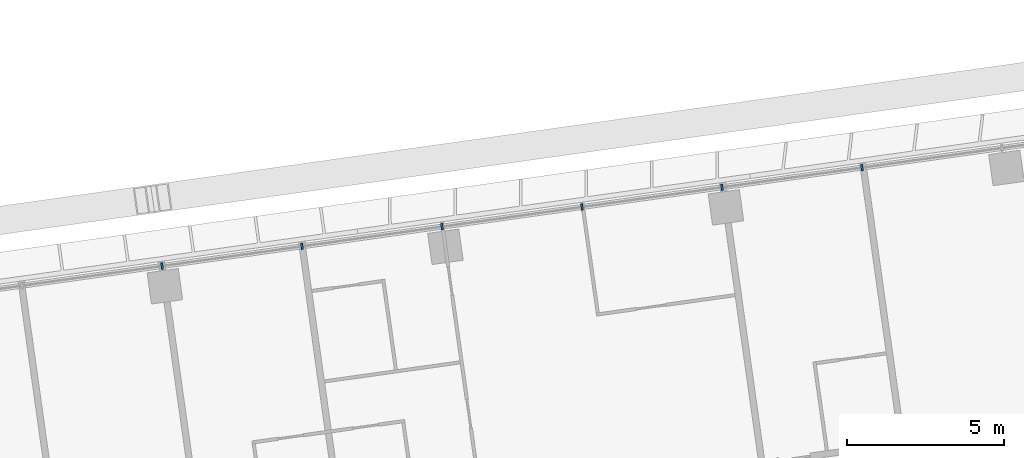
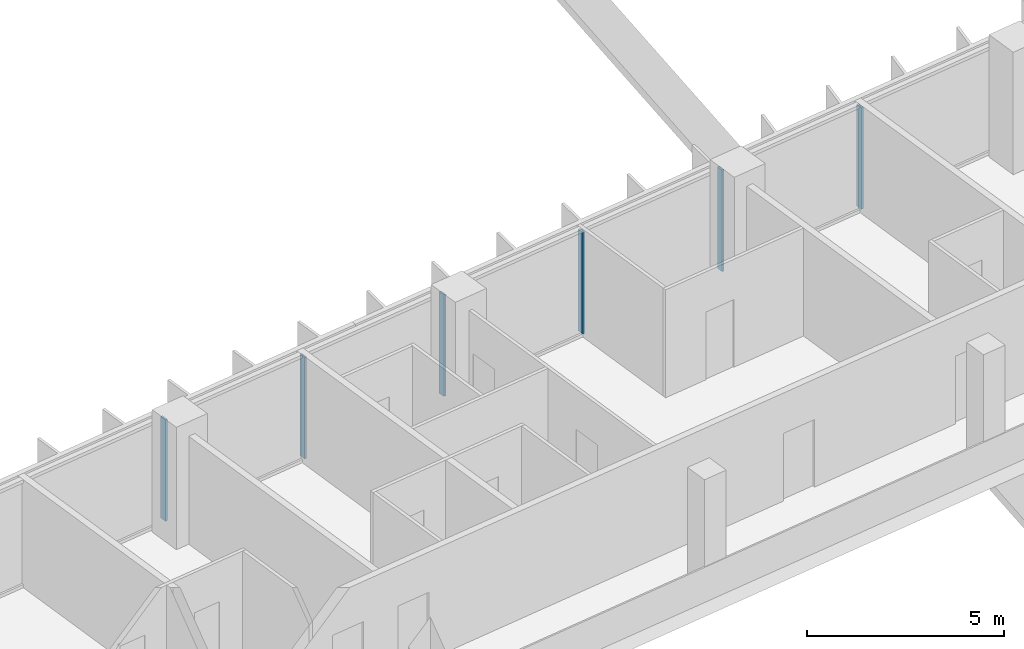
# One storey, part 29 of 49: 6 members, 1 element without a shape of its own.
"""IFC4 building model written with IfcOpenShell, lengths in metres."""

from ifc_helpers import new_model, si_unit, direction, frame, origin, origin_2d, place, context, subcontext, project, spatial, rectangle, extrude, material, material_profile, profile_set, type_object, element, aggregate, save


model = new_model("IFC4")

# Units and contexts
model_context = context("Model", 3, precision=1e-05, world=origin(), true_north=direction((0.0, 1.0)))
body_context = subcontext(model_context, "Body", "Model", "MODEL_VIEW")
ifc_project = project(units=[si_unit("LENGTHUNIT", "METRE"), si_unit("AREAUNIT", "SQUARE_METRE"), si_unit("VOLUMEUNIT", "CUBIC_METRE"), si_unit("PLANEANGLEUNIT", "RADIAN"), si_unit("MASSUNIT", "GRAM", prefix="KILO")], contexts=[model_context])

# Site, building, storey
site_placement = place(None, origin())
site = spatial("IfcSite", under=ifc_project, at=site_placement, CompositionType="ELEMENT")
building_placement = place(site_placement, origin())
building = spatial("IfcBuilding", under=site, at=building_placement, Name="Mirante Cascada Hotel Towers", CompositionType="ELEMENT")
storey_placement = place(building_placement, frame((0.0, 0.0, 66.1)))
storey = spatial("IfcBuildingStorey", under=building, at=storey_placement, Name="L13", CompositionType="ELEMENT", Elevation=66.1)

# Curtain wall, members
ifc_material_1 = material(Name="Aluminium mullion and transom frame with clear laminated glass", Category="aluminium")
curtain_wall_type = type_object("IfcCurtainWallType", Name="Ribbon curtain wall ECW1", PredefinedType="NOTDEFINED", material=ifc_material_1)
curtain_wall_placement = place(storey_placement, origin())
curtain_wall = element("IfcCurtainWall", 1, at=curtain_wall_placement, inside=storey, type_object=curtain_wall_type, Name="Front ribbon wall T2 L13", PredefinedType="NOTDEFINED")
ifc_material_2 = material(Name="Anodised aluminium extrusion", Category="aluminium")
ifc_material_profile = material_profile(ifc_material_2, rectangle(XDim=0.2, YDim=0.065, at=origin_2d()), Name="ECW1 MULLION 65x200")
ifc_profile_set = profile_set([ifc_material_profile], Name="Anodised aluminium extrusion")
member_type = type_object("IfcMemberType", Name="ECW1 mullion 65x200", PredefinedType="MULLION", material=ifc_profile_set)
member_1_placement = place(storey_placement, frame((85.2633, 24.802, 0.1), z_axis=(0.0, 0.0, 1.0), x_axis=(0.1391731, -0.9902681, 0.0)))
member_1 = element("IfcMember", 2, at=member_1_placement, type_object=member_type, Name="ECW1 mullion 3", PredefinedType="MULLION", context=body_context, shape_type="SweptSolid", body=[
    extrude(rectangle(XDim=0.2, YDim=0.065, at=origin_2d()), origin(), (0.0, 0.0, 1.0), 3.15),
])
member_2_placement = place(storey_placement, frame((80.8159, 24.177, 0.1), z_axis=(0.0, 0.0, 1.0), x_axis=(0.1391731, -0.9902681, 0.0)))
member_2 = element("IfcMember", 3, at=member_2_placement, type_object=member_type, Name="ECW1 mullion 4", PredefinedType="MULLION", context=body_context, shape_type="SweptSolid", body=[
    extrude(rectangle(XDim=0.2, YDim=0.065, at=origin_2d()), origin(), (0.0, 0.0, 1.0), 3.15),
])
member_3_placement = place(storey_placement, frame((76.3685, 23.5519, 0.1), z_axis=(0.0, 0.0, 1.0), x_axis=(0.1391731, -0.9902681, 0.0)))
member_3 = element("IfcMember", 4, at=member_3_placement, type_object=member_type, Name="ECW1 mullion 5", PredefinedType="MULLION", context=body_context, shape_type="SweptSolid", body=[
    extrude(rectangle(XDim=0.2, YDim=0.065, at=origin_2d()), origin(), (0.0, 0.0, 1.0), 3.15),
])
member_4_placement = place(storey_placement, frame((71.9211, 22.9269, 0.1), z_axis=(0.0, 0.0, 1.0), x_axis=(0.1391731, -0.9902681, 0.0)))
member_4 = element("IfcMember", 5, at=member_4_placement, type_object=member_type, Name="ECW1 mullion 6", PredefinedType="MULLION", context=body_context, shape_type="SweptSolid", body=[
    extrude(rectangle(XDim=0.2, YDim=0.065, at=origin_2d()), origin(), (0.0, 0.0, 1.0), 3.15),
])
member_5_placement = place(storey_placement, frame((67.4737, 22.3018, 0.1), z_axis=(0.0, 0.0, 1.0), x_axis=(0.1391731, -0.9902681, 0.0)))
member_5 = element("IfcMember", 6, at=member_5_placement, type_object=member_type, Name="ECW1 mullion 7", PredefinedType="MULLION", context=body_context, shape_type="SweptSolid", body=[
    extrude(rectangle(XDim=0.2, YDim=0.065, at=origin_2d()), origin(), (0.0, 0.0, 1.0), 3.15),
])
member_6_placement = place(storey_placement, frame((63.0262, 21.6768, 0.1), z_axis=(0.0, 0.0, 1.0), x_axis=(0.1391731, -0.9902681, 0.0)))
member_6 = element("IfcMember", 7, at=member_6_placement, type_object=member_type, Name="ECW1 mullion 8", PredefinedType="MULLION", context=body_context, shape_type="SweptSolid", body=[
    extrude(rectangle(XDim=0.2, YDim=0.065, at=origin_2d()), origin(), (0.0, 0.0, 1.0), 3.15),
])
aggregate(curtain_wall, [member_1, member_2, member_3, member_4, member_5, member_6])

save(model, "model.ifc")
